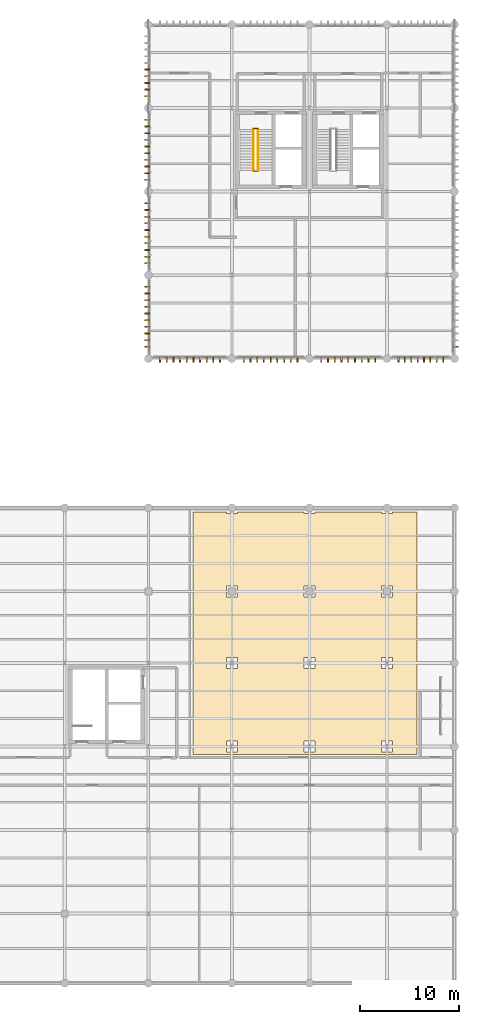
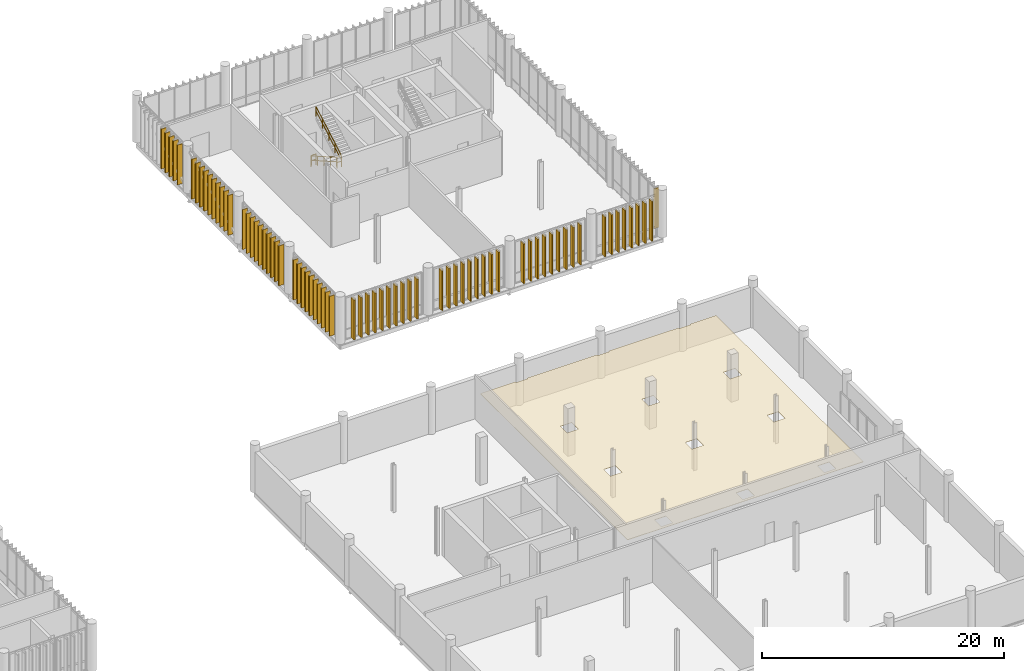
# One storey, part 90 of 94: 73 coverings, 4 railings.
"""IFC4 building model written with IfcOpenShell, lengths in metres."""

from ifc_helpers import new_model, si_unit, direction, frame, frame_2d, origin_with_axes, origin_2d_with_axis, place, context, subcontext, project, spatial, polyline, rectangle, circle, outline, extrude, material, type_object, element, save


model = new_model("IFC4")

# Units and contexts
model_context = context("Model", 3, precision=1e-05, world=origin_with_axes(), true_north=direction((0.0, 1.0)))
body_context = subcontext(model_context, "Body", "Model", "MODEL_VIEW")
ifc_project = project(units=[si_unit("LENGTHUNIT", "METRE"), si_unit("AREAUNIT", "SQUARE_METRE"), si_unit("VOLUMEUNIT", "CUBIC_METRE"), si_unit("PLANEANGLEUNIT", "RADIAN"), si_unit("MASSUNIT", "GRAM", prefix="KILO"), si_unit("THERMODYNAMICTEMPERATUREUNIT", "KELVIN")], contexts=[model_context])

# Site, building, storey
site_placement = place(None, origin_with_axes())
site = spatial("IfcSite", under=ifc_project, at=site_placement, CompositionType="ELEMENT")
building_placement = place(site_placement, origin_with_axes())
building = spatial("IfcBuilding", under=site, at=building_placement, Name="Montbau Bow Law Courts", CompositionType="ELEMENT")
storey_placement = place(building_placement, frame((0.0, 0.0, 15.6), z_axis=(0.0, 0.0, 1.0), x_axis=(1.0, 0.0, 0.0)))
storey = spatial("IfcBuildingStorey", under=building, at=storey_placement, Name="L03", CompositionType="ELEMENT", Elevation=15.6)

# Coverings
ifc_material_1 = material(Name="Micro-Perforated White-Oak Acoustic Courtroom Ceiling", Category="wood")
covering_type_1 = type_object("IfcCoveringType", Name="CV-CLG-01", PredefinedType="CEILING", material=ifc_material_1)
covering_placement = place(None, frame((0.0, 0.0, 18.14), z_axis=(0.0, 0.0, 1.0), x_axis=(1.0, 0.0, 0.0)))
element("IfcCovering", 1, at=covering_placement, inside=storey, type_object=covering_type_1, Name="CLG-L03-09:cov_3551", PredefinedType="CEILING", context=body_context, shape_type="SweptSolid", body=[
    extrude(outline(polyline([(146.45, 54.16), (146.45, 54.05), (147.55, 54.05), (147.55, 54.16), (154.25, 54.16), (154.25, 54.05), (155.35, 54.05), (155.35, 54.16), (162.05, 54.16), (162.05, 54.05), (163.15, 54.05), (163.15, 54.16), (165.63, 54.16), (165.63, 29.78), (143.08, 29.78), (143.08, 54.16), (146.45, 54.16)]), holes=[polyline([(146.45, 31.15), (146.45, 30.05), (147.55, 30.05), (147.55, 31.15), (146.45, 31.15)]), polyline([(154.25, 39.55), (154.25, 38.45), (155.35, 38.45), (155.35, 39.55), (154.25, 39.55)]), polyline([(146.45, 39.55), (146.45, 38.45), (147.55, 38.45), (147.55, 39.55), (146.45, 39.55)]), polyline([(146.45, 46.75), (146.45, 45.65), (147.55, 45.65), (147.55, 46.75), (146.45, 46.75)]), polyline([(154.25, 31.15), (154.25, 30.05), (155.35, 30.05), (155.35, 31.15), (154.25, 31.15)]), polyline([(162.05, 31.15), (162.05, 30.05), (163.15, 30.05), (163.15, 31.15), (162.05, 31.15)]), polyline([(162.05, 39.55), (162.05, 38.45), (163.15, 38.45), (163.15, 39.55), (162.05, 39.55)]), polyline([(162.05, 46.75), (162.05, 45.65), (163.15, 45.65), (163.15, 46.75), (162.05, 46.75)]), polyline([(154.25, 46.75), (154.25, 45.65), (155.35, 45.65), (155.35, 46.75), (154.25, 46.75)])]), origin_with_axes(), (0.0, 0.0, 1.0), 0.04),
])
ifc_material_2 = material(Name="Freeze-Thaw Glazed Slate-Grey Ceramic Vertical Louvre", Category="masonry")
covering_type_2 = type_object("IfcCoveringType", Name="CV-LVR-SLT", PredefinedType="CLADDING", material=ifc_material_2)
for number, where, z_axis, x_axis, name in (
    (2, (139.785, 69.73, 15.6), (-1.0, 0.0, 0.0), (0.0, -1.0, 0.0), "CLV-L03-2750:cov_2795"),
    (3, (140.455, 69.73, 15.6), (-1.0, 0.0, 0.0), (0.0, -1.0, 0.0), "CLV-L03-2751:cov_2796"),
    (4, (141.125, 69.73, 15.6), (-1.0, 0.0, 0.0), (0.0, -1.0, 0.0), "CLV-L03-2752:cov_2797"),
    (5, (141.795, 69.73, 15.6), (-1.0, 0.0, 0.0), (0.0, -1.0, 0.0), "CLV-L03-2753:cov_2798"),
    (6, (142.465, 69.73, 15.6), (-1.0, 0.0, 0.0), (0.0, -1.0, 0.0), "CLV-L03-2754:cov_2799"),
    (7, (143.135, 69.73, 15.6), (-1.0, 0.0, 0.0), (0.0, -1.0, 0.0), "CLV-L03-2755:cov_2800"),
    (8, (143.805, 69.73, 15.6), (-1.0, 0.0, 0.0), (0.0, -1.0, 0.0), "CLV-L03-2756:cov_2801"),
    (9, (144.475, 69.73, 15.6), (-1.0, 0.0, 0.0), (0.0, -1.0, 0.0), "CLV-L03-2757:cov_2802"),
    (10, (145.145, 69.73, 15.6), (-1.0, 0.0, 0.0), (0.0, -1.0, 0.0), "CLV-L03-2758:cov_2803"),
    (11, (145.815, 69.73, 15.6), (-1.0, 0.0, 0.0), (0.0, -1.0, 0.0), "CLV-L03-2759:cov_2804"),
    (12, (148.192, 69.73, 15.6), (-1.0, 0.0, 0.0), (0.0, -1.0, 0.0), "CLV-L03-2760:cov_2805"),
    (13, (148.869, 69.73, 15.6), (-1.0, 0.0, 0.0), (0.0, -1.0, 0.0), "CLV-L03-2761:cov_2806"),
    (14, (149.546, 69.73, 15.6), (-1.0, 0.0, 0.0), (0.0, -1.0, 0.0), "CLV-L03-2762:cov_2807"),
    (15, (150.223, 69.73, 15.6), (-1.0, 0.0, 0.0), (0.0, -1.0, 0.0), "CLV-L03-2763:cov_2808"),
    (16, (150.9, 69.73, 15.6), (-1.0, 0.0, 0.0), (0.0, -1.0, 0.0), "CLV-L03-2764:cov_2809"),
    (17, (151.577, 69.73, 15.6), (-1.0, 0.0, 0.0), (0.0, -1.0, 0.0), "CLV-L03-2765:cov_2810"),
    (18, (152.254, 69.73, 15.6), (-1.0, 0.0, 0.0), (0.0, -1.0, 0.0), "CLV-L03-2766:cov_2811"),
    (19, (152.931, 69.73, 15.6), (-1.0, 0.0, 0.0), (0.0, -1.0, 0.0), "CLV-L03-2767:cov_2812"),
    (20, (153.608, 69.73, 15.6), (-1.0, 0.0, 0.0), (0.0, -1.0, 0.0), "CLV-L03-2768:cov_2813"),
    (21, (155.992, 69.73, 15.6), (-1.0, 0.0, 0.0), (0.0, -1.0, 0.0), "CLV-L03-2769:cov_2814"),
    (22, (156.669, 69.73, 15.6), (-1.0, 0.0, 0.0), (0.0, -1.0, 0.0), "CLV-L03-2770:cov_2815"),
    (23, (157.346, 69.73, 15.6), (-1.0, 0.0, 0.0), (0.0, -1.0, 0.0), "CLV-L03-2771:cov_2816"),
    (24, (158.023, 69.73, 15.6), (-1.0, 0.0, 0.0), (0.0, -1.0, 0.0), "CLV-L03-2772:cov_2817"),
    (25, (158.7, 69.73, 15.6), (-1.0, 0.0, 0.0), (0.0, -1.0, 0.0), "CLV-L03-2773:cov_2818"),
    (26, (159.377, 69.73, 15.6), (-1.0, 0.0, 0.0), (0.0, -1.0, 0.0), "CLV-L03-2774:cov_2819"),
    (27, (160.054, 69.73, 15.6), (-1.0, 0.0, 0.0), (0.0, -1.0, 0.0), "CLV-L03-2775:cov_2820"),
    (28, (160.731, 69.73, 15.6), (-1.0, 0.0, 0.0), (0.0, -1.0, 0.0), "CLV-L03-2776:cov_2821"),
    (29, (161.408, 69.73, 15.6), (-1.0, 0.0, 0.0), (0.0, -1.0, 0.0), "CLV-L03-2777:cov_2822"),
    (30, (163.756, 69.73, 15.6), (-1.0, 0.0, 0.0), (0.0, -1.0, 0.0), "CLV-L03-2778:cov_2823"),
    (31, (164.397, 69.73, 15.6), (-1.0, 0.0, 0.0), (0.0, -1.0, 0.0), "CLV-L03-2779:cov_2824"),
    (32, (165.038, 69.73, 15.6), (-1.0, 0.0, 0.0), (0.0, -1.0, 0.0), "CLV-L03-2780:cov_2825"),
    (33, (165.679, 69.73, 15.6), (-1.0, 0.0, 0.0), (0.0, -1.0, 0.0), "CLV-L03-2781:cov_2826"),
    (34, (166.321, 69.73, 15.6), (-1.0, 0.0, 0.0), (0.0, -1.0, 0.0), "CLV-L03-2782:cov_2827"),
    (35, (166.962, 69.73, 15.6), (-1.0, 0.0, 0.0), (0.0, -1.0, 0.0), "CLV-L03-2783:cov_2828"),
    (36, (167.603, 69.73, 15.6), (-1.0, 0.0, 0.0), (0.0, -1.0, 0.0), "CLV-L03-2784:cov_2829"),
    (37, (168.244, 69.73, 15.6), (-1.0, 0.0, 0.0), (0.0, -1.0, 0.0), "CLV-L03-2785:cov_2830"),
    (38, (138.73, 70.785, 15.6), (0.0, 1.0, 0.0), (-1.0, 0.0, 0.0), "CLV-L03-2822:cov_2867"),
    (39, (138.73, 71.455, 15.6), (0.0, 1.0, 0.0), (-1.0, 0.0, 0.0), "CLV-L03-2823:cov_2868"),
    (40, (138.73, 72.125, 15.6), (0.0, 1.0, 0.0), (-1.0, 0.0, 0.0), "CLV-L03-2824:cov_2869"),
    (41, (138.73, 72.795, 15.6), (0.0, 1.0, 0.0), (-1.0, 0.0, 0.0), "CLV-L03-2825:cov_2870"),
    (42, (138.73, 73.465, 15.6), (0.0, 1.0, 0.0), (-1.0, 0.0, 0.0), "CLV-L03-2826:cov_2871"),
    (43, (138.73, 74.135, 15.6), (0.0, 1.0, 0.0), (-1.0, 0.0, 0.0), "CLV-L03-2827:cov_2872"),
    (44, (138.73, 74.805, 15.6), (0.0, 1.0, 0.0), (-1.0, 0.0, 0.0), "CLV-L03-2828:cov_2873"),
    (45, (138.73, 75.475, 15.6), (0.0, 1.0, 0.0), (-1.0, 0.0, 0.0), "CLV-L03-2829:cov_2874"),
    (46, (138.73, 76.145, 15.6), (0.0, 1.0, 0.0), (-1.0, 0.0, 0.0), "CLV-L03-2830:cov_2875"),
    (47, (138.73, 76.815, 15.6), (0.0, 1.0, 0.0), (-1.0, 0.0, 0.0), "CLV-L03-2831:cov_2876"),
    (48, (138.73, 79.185, 15.6), (0.0, 1.0, 0.0), (-1.0, 0.0, 0.0), "CLV-L03-2832:cov_2877"),
    (49, (138.73, 79.855, 15.6), (0.0, 1.0, 0.0), (-1.0, 0.0, 0.0), "CLV-L03-2833:cov_2878"),
    (50, (138.73, 80.525, 15.6), (0.0, 1.0, 0.0), (-1.0, 0.0, 0.0), "CLV-L03-2834:cov_2879"),
    (51, (138.73, 81.195, 15.6), (0.0, 1.0, 0.0), (-1.0, 0.0, 0.0), "CLV-L03-2835:cov_2880"),
    (52, (138.73, 81.865, 15.6), (0.0, 1.0, 0.0), (-1.0, 0.0, 0.0), "CLV-L03-2836:cov_2881"),
    (53, (138.73, 82.535, 15.6), (0.0, 1.0, 0.0), (-1.0, 0.0, 0.0), "CLV-L03-2837:cov_2882"),
    (54, (138.73, 83.205, 15.6), (0.0, 1.0, 0.0), (-1.0, 0.0, 0.0), "CLV-L03-2838:cov_2883"),
    (55, (138.73, 83.875, 15.6), (0.0, 1.0, 0.0), (-1.0, 0.0, 0.0), "CLV-L03-2839:cov_2884"),
    (56, (138.73, 84.545, 15.6), (0.0, 1.0, 0.0), (-1.0, 0.0, 0.0), "CLV-L03-2840:cov_2885"),
    (57, (138.73, 85.215, 15.6), (0.0, 1.0, 0.0), (-1.0, 0.0, 0.0), "CLV-L03-2841:cov_2886"),
    (58, (138.73, 87.585, 15.6), (0.0, 1.0, 0.0), (-1.0, 0.0, 0.0), "CLV-L03-2842:cov_2887"),
    (59, (138.73, 88.255, 15.6), (0.0, 1.0, 0.0), (-1.0, 0.0, 0.0), "CLV-L03-2843:cov_2888"),
    (60, (138.73, 88.925, 15.6), (0.0, 1.0, 0.0), (-1.0, 0.0, 0.0), "CLV-L03-2844:cov_2889"),
    (61, (138.73, 89.595, 15.6), (0.0, 1.0, 0.0), (-1.0, 0.0, 0.0), "CLV-L03-2845:cov_2890"),
    (62, (138.73, 90.265, 15.6), (0.0, 1.0, 0.0), (-1.0, 0.0, 0.0), "CLV-L03-2846:cov_2891"),
    (63, (138.73, 90.935, 15.6), (0.0, 1.0, 0.0), (-1.0, 0.0, 0.0), "CLV-L03-2847:cov_2892"),
    (64, (138.73, 91.605, 15.6), (0.0, 1.0, 0.0), (-1.0, 0.0, 0.0), "CLV-L03-2848:cov_2893"),
    (65, (138.73, 92.275, 15.6), (0.0, 1.0, 0.0), (-1.0, 0.0, 0.0), "CLV-L03-2849:cov_2894"),
    (66, (138.73, 92.945, 15.6), (0.0, 1.0, 0.0), (-1.0, 0.0, 0.0), "CLV-L03-2850:cov_2895"),
    (67, (138.73, 93.615, 15.6), (0.0, 1.0, 0.0), (-1.0, 0.0, 0.0), "CLV-L03-2851:cov_2896"),
    (68, (138.73, 95.985, 15.6), (0.0, 1.0, 0.0), (-1.0, 0.0, 0.0), "CLV-L03-2852:cov_2897"),
    (69, (138.73, 96.655, 15.6), (0.0, 1.0, 0.0), (-1.0, 0.0, 0.0), "CLV-L03-2853:cov_2898"),
    (70, (138.73, 97.325, 15.6), (0.0, 1.0, 0.0), (-1.0, 0.0, 0.0), "CLV-L03-2854:cov_2899"),
    (71, (138.73, 97.995, 15.6), (0.0, 1.0, 0.0), (-1.0, 0.0, 0.0), "CLV-L03-2855:cov_2900"),
    (72, (138.73, 98.665, 15.6), (0.0, 1.0, 0.0), (-1.0, 0.0, 0.0), "CLV-L03-2856:cov_2901"),
    (73, (169.27, 70.785, 15.6), (0.0, -1.0, 0.0), (1.0, 0.0, 0.0), "CLV-L03-2862:cov_2907"),
):
    element("IfcCovering", number, at=place(None, frame(where, z_axis=z_axis, x_axis=x_axis)), inside=storey, type_object=covering_type_2, Name=name, PredefinedType="CLADDING", context=body_context, shape_type="SweptSolid", body=[
        extrude(rectangle(XDim=0.48, YDim=4.04, at=frame_2d((0.24, 2.02), x_axis=(1.0, 0.0))), frame((0.0, 0.0, -0.06), z_axis=(0.0, 0.0, 1.0), x_axis=(1.0, 0.0, 0.0)), (0.0, 0.0, 1.0), 0.12),
    ])

# Railings
ifc_material_3 = material(Name="Architectural Bronze-Finished Steel Stair Guard", Category="steel")
railing_type_1 = type_object("IfcRailingType", Name="RL-GRD-1100", PredefinedType="GUARDRAIL", material=ifc_material_3)
railing_1_placement = place(None, origin_with_axes())
element("IfcRailing", 74, at=railing_1_placement, inside=storey, type_object=railing_type_1, Name="SG-ST-P2-L03-ML:rlg_0176", PredefinedType="GUARDRAIL", context=body_context, shape_type="SweptSolid", body=[
    extrude(circle(Radius=0.0225, at=origin_2d_with_axis()), frame((149.185, 88.47, 19.102), z_axis=(1.0, 0.0, 0.0), x_axis=(0.0, 0.0, 1.0)), (0.0, 0.0, 1.0), 0.455),
    extrude(circle(Radius=0.02025, at=origin_2d_with_axis()), frame((149.185, 88.47, 18.572), z_axis=(1.0, 0.0, 0.0), x_axis=(0.0, 0.0, 1.0)), (0.0, 0.0, 1.0), 0.455),
    extrude(circle(Radius=0.02025, at=origin_2d_with_axis()), frame((149.185, 88.47, 18.0), z_axis=(0.0, 0.0, 1.0), x_axis=(1.0, 0.0, 0.0)), (0.0, 0.0, 1.0), 1.07525),
    extrude(circle(Radius=0.02025, at=origin_2d_with_axis()), frame((149.64, 88.47, 18.0), z_axis=(0.0, 0.0, 1.0), x_axis=(1.0, 0.0, 0.0)), (0.0, 0.0, 1.0), 1.07525),
])
railing_2_placement = place(None, origin_with_axes())
element("IfcRailing", 75, at=railing_2_placement, inside=storey, type_object=railing_type_1, Name="SG-ST-P2-L03-BL:rlg_0177", PredefinedType="GUARDRAIL", context=body_context, shape_type="SweptSolid", body=[
    extrude(circle(Radius=0.0225, at=origin_2d_with_axis()), frame((149.185, 92.73, 16.702), z_axis=(1.0, 0.0, 0.0), x_axis=(0.0, 0.0, 1.0)), (0.0, 0.0, 1.0), 0.455),
    extrude(circle(Radius=0.02025, at=origin_2d_with_axis()), frame((149.185, 92.73, 16.172), z_axis=(1.0, 0.0, 0.0), x_axis=(0.0, 0.0, 1.0)), (0.0, 0.0, 1.0), 0.455),
    extrude(circle(Radius=0.02025, at=origin_2d_with_axis()), frame((149.185, 92.73, 15.6), z_axis=(0.0, 0.0, 1.0), x_axis=(1.0, 0.0, 0.0)), (0.0, 0.0, 1.0), 1.07525),
    extrude(circle(Radius=0.02025, at=origin_2d_with_axis()), frame((149.64, 92.73, 15.6), z_axis=(0.0, 0.0, 1.0), x_axis=(1.0, 0.0, 0.0)), (0.0, 0.0, 1.0), 1.07525),
])
ifc_material_4 = material(Name="White-Oak and Stainless Continuous Stair Handrail", Category="steel")
railing_type_2 = type_object("IfcRailingType", Name="RL-HND-0920", PredefinedType="HANDRAIL", material=ifc_material_4)
railing_3_placement = place(None, origin_with_axes())
element("IfcRailing", 76, at=railing_3_placement, inside=storey, type_object=railing_type_2, Name="HR-ST-P2-L03-1:rlg_0178", PredefinedType="HANDRAIL", context=body_context, shape_type="SweptSolid", body=[
    extrude(circle(Radius=0.021, at=origin_2d_with_axis()), frame((149.185, 92.7, 16.682), z_axis=(0.0, -0.868243142, 0.496138938), x_axis=(0.0, 0.496138938, 0.868243142)), (0.0, 0.0, 1.0), 4.837355),
    extrude(circle(Radius=0.0189, at=origin_2d_with_axis()), frame((149.185, 92.7, 16.2384), z_axis=(0.0, -0.868243142, 0.496138938), x_axis=(0.0, 0.496138938, 0.868243142)), (0.0, 0.0, 1.0), 4.837355),
    extrude(circle(Radius=0.0189, at=origin_2d_with_axis()), frame((149.185, 92.7, 15.76), z_axis=(0.0, 0.0, 1.0), x_axis=(1.0, 0.0, 0.0)), (0.0, 0.0, 1.0), 0.8969),
    extrude(circle(Radius=0.0189, at=origin_2d_with_axis()), frame((149.185, 91.65, 16.36), z_axis=(0.0, 0.0, 1.0), x_axis=(1.0, 0.0, 0.0)), (0.0, 0.0, 1.0), 0.8969),
    extrude(circle(Radius=0.0189, at=origin_2d_with_axis()), frame((149.185, 90.6, 16.96), z_axis=(0.0, 0.0, 1.0), x_axis=(1.0, 0.0, 0.0)), (0.0, 0.0, 1.0), 0.8969),
    extrude(circle(Radius=0.0189, at=origin_2d_with_axis()), frame((149.185, 89.55, 17.56), z_axis=(0.0, 0.0, 1.0), x_axis=(1.0, 0.0, 0.0)), (0.0, 0.0, 1.0), 0.8969),
    extrude(circle(Radius=0.0189, at=origin_2d_with_axis()), frame((149.185, 88.5, 18.16), z_axis=(0.0, 0.0, 1.0), x_axis=(1.0, 0.0, 0.0)), (0.0, 0.0, 1.0), 0.8969),
])
railing_4_placement = place(None, origin_with_axes())
element("IfcRailing", 77, at=railing_4_placement, inside=storey, type_object=railing_type_2, Name="HR-ST-P2-L03-2:rlg_0179", PredefinedType="HANDRAIL", context=body_context, shape_type="SweptSolid", body=[
    extrude(circle(Radius=0.021, at=origin_2d_with_axis()), frame((149.64, 88.5, 19.082), z_axis=(0.0, 0.868243142, 0.496138938), x_axis=(0.0, -0.496138938, 0.868243142)), (0.0, 0.0, 1.0), 4.837355),
    extrude(circle(Radius=0.0189, at=origin_2d_with_axis()), frame((149.64, 88.5, 18.6384), z_axis=(0.0, 0.868243142, 0.496138938), x_axis=(0.0, -0.496138938, 0.868243142)), (0.0, 0.0, 1.0), 4.837355),
    extrude(circle(Radius=0.0189, at=origin_2d_with_axis()), frame((149.64, 88.5, 18.16), z_axis=(0.0, 0.0, 1.0), x_axis=(1.0, 0.0, 0.0)), (0.0, 0.0, 1.0), 0.8969),
    extrude(circle(Radius=0.0189, at=origin_2d_with_axis()), frame((149.64, 89.55, 18.76), z_axis=(0.0, 0.0, 1.0), x_axis=(1.0, 0.0, 0.0)), (0.0, 0.0, 1.0), 0.8969),
    extrude(circle(Radius=0.0189, at=origin_2d_with_axis()), frame((149.64, 90.6, 19.36), z_axis=(0.0, 0.0, 1.0), x_axis=(1.0, 0.0, 0.0)), (0.0, 0.0, 1.0), 0.8969),
    extrude(circle(Radius=0.0189, at=origin_2d_with_axis()), frame((149.64, 91.65, 19.96), z_axis=(0.0, 0.0, 1.0), x_axis=(1.0, 0.0, 0.0)), (0.0, 0.0, 1.0), 0.8969),
    extrude(circle(Radius=0.0189, at=origin_2d_with_axis()), frame((149.64, 92.7, 20.56), z_axis=(0.0, 0.0, 1.0), x_axis=(1.0, 0.0, 0.0)), (0.0, 0.0, 1.0), 0.8969),
])

save(model, "model.ifc")
